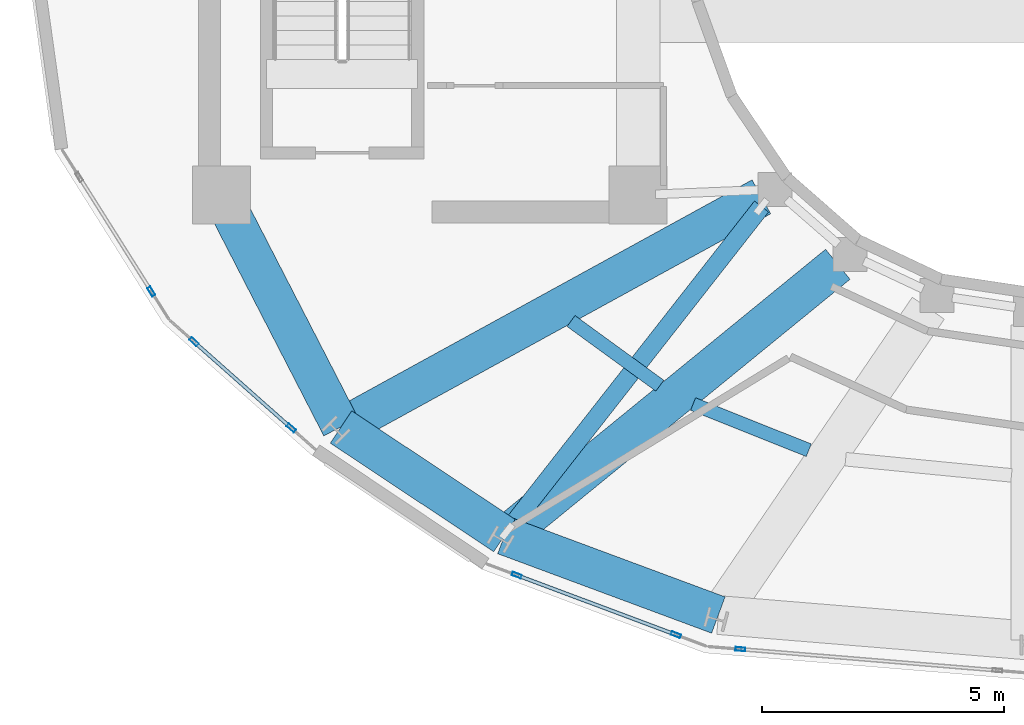
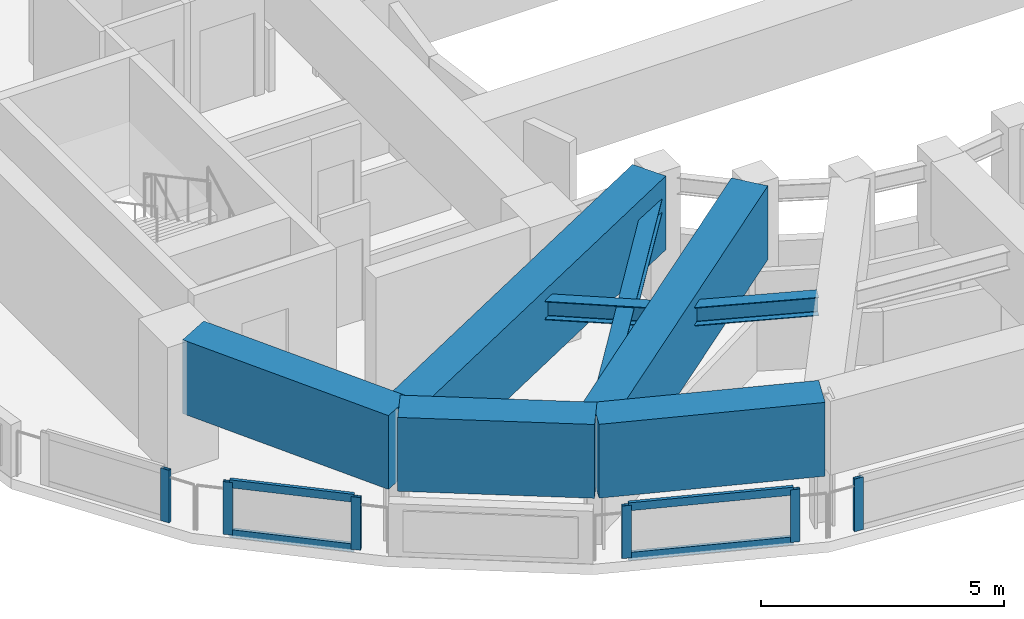
# One storey, part 2 of 18: 11 members, 7 beams, 4 elements without a shape of their own.
"""IFC4 building model written with IfcOpenShell, lengths in metres."""

from ifc_helpers import new_model, si_unit, direction, frame, origin, origin_2d, place, context, subcontext, project, spatial, rectangle, hollow_rectangle, i_section, extrude, material, layer, layer_set, material_profile, profile_set, type_object, element, aggregate, save


model = new_model("IFC4")

# Units and contexts
model_context = context("Model", 3, precision=1e-05, world=origin(), true_north=direction((0.0, 1.0)))
body_context = subcontext(model_context, "Body", "Model", "MODEL_VIEW")
ifc_project = project(units=[si_unit("LENGTHUNIT", "METRE"), si_unit("AREAUNIT", "SQUARE_METRE"), si_unit("VOLUMEUNIT", "CUBIC_METRE"), si_unit("PLANEANGLEUNIT", "RADIAN"), si_unit("MASSUNIT", "GRAM", prefix="KILO")], contexts=[model_context])

# Site, building, storey
site_placement = place(None, origin())
site = spatial("IfcSite", under=ifc_project, at=site_placement, CompositionType="ELEMENT")
building_placement = place(site_placement, origin())
building = spatial("IfcBuilding", under=site, at=building_placement, Name="Solvane Sanctuary Tower", CompositionType="ELEMENT")
storey_placement = place(building_placement, frame((0.0, 0.0, 263.60009765625)))
storey = spatial("IfcBuildingStorey", under=building, at=storey_placement, Name="L80", CompositionType="ELEMENT", Elevation=263.60009765625)

# Beams
ifc_material_1 = material(Name="Steel ASTM A992 Grade 50", Category="steel")
ifc_material_profile_1 = material_profile(ifc_material_1, i_section(OverallWidth=0.280029296875, OverallDepth=0.462890625, WebThickness=0.0107421875, FlangeThickness=0.017333984375, FilletRadius=0.013916015625, at=origin_2d()), Name="W18X76")
ifc_profile_set_1 = profile_set([ifc_material_profile_1], Name="Steel ASTM A992 Grade 50")
beam_type_1 = type_object("IfcBeamType", Name="Beam B-SEC-JOIST W18X76", PredefinedType="JOIST", material=ifc_profile_set_1)
beam_1_placement = place(storey_placement, frame((22.514892578125, 14.30029296875, 2.706298828125), z_axis=(0.808358744666, -0.588690190101, 0.0), x_axis=(0.588690190101, 0.808358744666, 0.0)))
element("IfcBeam", 1, at=beam_1_placement, inside=storey, type_object=beam_type_1, Name="L80 Secondary Circumferential Joist 08-09", PredefinedType="JOIST", context=body_context, shape_type="SweptSolid", body=[
    extrude(i_section(OverallWidth=0.280029296875, OverallDepth=0.462890625, WebThickness=0.0107421875, FlangeThickness=0.017333984375, FilletRadius=0.013916015625, at=origin_2d()), origin(), (0.0, 0.0, 1.0), 2.267333984375),
])
beam_2_placement = place(storey_placement, frame((25.03369140625, 12.586669921875, 2.706298828125), z_axis=(0.928646716037, -0.370965330987, 0.0), x_axis=(0.370965330987, 0.928646716037, 0.0)))
element("IfcBeam", 2, at=beam_2_placement, inside=storey, type_object=beam_type_1, Name="L80 Secondary Circumferential Joist 09-10", PredefinedType="JOIST", context=body_context, shape_type="SweptSolid", body=[
    extrude(i_section(OverallWidth=0.280029296875, OverallDepth=0.462890625, WebThickness=0.0107421875, FlangeThickness=0.017333984375, FilletRadius=0.013916015625, at=origin_2d()), origin(), (0.0, 0.0, 1.0), 2.5732421875),
])
ifc_material_2 = material(Name="Concrete C70/85", Category="concrete")
ifc_material_profile_2 = material_profile(ifc_material_2, rectangle(XDim=0.800048828125, YDim=1.85009765625, at=origin_2d()), Name="RC800X1850")
ifc_profile_set_2 = profile_set([ifc_material_profile_2], Name="Concrete C70/85")
beam_type_2 = type_object("IfcBeamType", Name="Beam B-XFER-BLK RC800X1850", PredefinedType="BEAM", material=ifc_profile_set_2)
beam_3_placement = place(storey_placement, frame((26.444580078125, 16.864013671875, 2.27490234375), z_axis=(-0.876702184602, -0.481033553418, 0.0), x_axis=(0.481033553418, -0.876702184602, 0.0)))
element("IfcBeam", 3, at=beam_3_placement, inside=storey, type_object=beam_type_2, Name="L80 Block-Shift Radial Transfer Girder 08A", PredefinedType="BEAM", context=body_context, shape_type="SweptSolid", body=[
    extrude(rectangle(XDim=0.800048828125, YDim=1.85009765625, at=origin_2d()), origin(), (0.0, 0.0, 1.0), 9.91259765625),
])
beam_4_placement = place(storey_placement, frame((28.022216796875, 15.47119140625, 2.27490234375), z_axis=(-0.774760127624, -0.632255284394, 0.0), x_axis=(0.632255284394, -0.774760127624, 0.0)))
element("IfcBeam", 4, at=beam_4_placement, inside=storey, type_object=beam_type_2, Name="L80 Block-Shift Radial Transfer Girder 09A", PredefinedType="BEAM", context=body_context, shape_type="SweptSolid", body=[
    extrude(rectangle(XDim=0.800048828125, YDim=1.85009765625, at=origin_2d()), origin(), (0.0, 0.0, 1.0), 8.88134765625),
])
beam_5_placement = place(storey_placement, frame((15.46484375, 16.580078125, 2.27490234375), z_axis=(0.457927504097, -0.888989539304, 0.0), x_axis=(0.888989539304, 0.457927504097, 0.0)))
element("IfcBeam", 5, at=beam_5_placement, inside=storey, type_object=beam_type_2, Name="L80 Perimeter Step Transfer Ring CW1-NTC08", PredefinedType="BEAM", context=body_context, shape_type="SweptSolid", body=[
    extrude(rectangle(XDim=0.800048828125, YDim=1.85009765625, at=origin_2d()), origin(), (0.0, 0.0, 1.0), 5.025390625),
])
beam_6_placement = place(storey_placement, frame((17.76611328125, 12.112548828125, 2.27490234375), z_axis=(0.832902394686, -0.553419913742, 0.0), x_axis=(0.553419913742, 0.832902394686, 0.0)))
element("IfcBeam", 6, at=beam_6_placement, inside=storey, type_object=beam_type_2, Name="L80 Perimeter Step Transfer Ring NTC08-NTC09", PredefinedType="BEAM", context=body_context, shape_type="SweptSolid", body=[
    extrude(rectangle(XDim=0.800048828125, YDim=1.85009765625, at=origin_2d()), origin(), (0.0, 0.0, 1.0), 4.050537109375),
])
beam_7_placement = place(storey_placement, frame((21.139892578125, 9.870849609375, 2.27490234375), z_axis=(0.937427688281, -0.348180024188, 0.0), x_axis=(0.348180024188, 0.937427688281, 0.0)))
element("IfcBeam", 7, at=beam_7_placement, inside=storey, type_object=beam_type_2, Name="L80 Perimeter Step Transfer Ring NTC09-NTC10", PredefinedType="BEAM", context=body_context, shape_type="SweptSolid", body=[
    extrude(rectangle(XDim=0.800048828125, YDim=1.85009765625, at=origin_2d()), origin(), (0.0, 0.0, 1.0), 4.711181640625),
])

# Member
ifc_material_profile_3 = material_profile(ifc_material_1, i_section(OverallWidth=0.368896484375, OverallDepth=0.35595703125, WebThickness=0.01123046875, FlangeThickness=0.01806640625, FilletRadius=0.02490234375, at=origin_2d()), Name="W14X90")
ifc_profile_set_3 = profile_set([ifc_material_profile_3], Name="Steel ASTM A992 Grade 50")
member_type_1 = type_object("IfcMemberType", Name="Member M-CROWN-TIE W14X90", PredefinedType="CHORD", material=ifc_profile_set_3)
member_1_placement = place(storey_placement, frame((26.444580078125, 16.66015625, 2.540283203125), z_axis=(-0.61657715967, -0.786962266432, 0.022869136088), x_axis=(0.787168136792, -0.616738457062, 0.0)))
element("IfcMember", 8, at=member_1_placement, inside=storey, type_object=member_type_1, Name="L80 Crown Bracing Tie 08", PredefinedType="CHORD", context=body_context, shape_type="SweptSolid", body=[
    extrude(i_section(OverallWidth=0.368896484375, OverallDepth=0.35595703125, WebThickness=0.01123046875, FlangeThickness=0.01806640625, FilletRadius=0.02490234375, at=origin_2d()), origin(), (0.0, 0.0, 1.0), 8.50830078125),
])

# Curtain wall, member
ifc_material_3 = material(Name="Anodised Aluminium 6063-T6", Category="aluminium")
ifc_layer = layer(ifc_material_3, 0.219970703125, Name="Anodised Aluminium 6063-T6")
ifc_layer_set = layer_set([ifc_layer], Name="Anodised Aluminium 6063-T6")
curtain_wall_type = type_object("IfcCurtainWallType", Name="Curtain Wall CW-CROWN", PredefinedType="NOTDEFINED", material=ifc_layer_set)
curtain_wall_1_placement = place(storey_placement, origin())
curtain_wall_1 = element("IfcCurtainWall", 9, at=curtain_wall_1_placement, inside=storey, type_object=curtain_wall_type, Name="L80 Crown Fritted Lantern Curtain Wall 13", PredefinedType="NOTDEFINED")
ifc_material_profile_4 = material_profile(ifc_material_3, hollow_rectangle(XDim=0.074951171875, YDim=0.199951171875, WallThickness=0.00390625, at=origin_2d()), Name="ALU200X75X4")
ifc_profile_set_4 = profile_set([ifc_material_profile_4], Name="Anodised Aluminium 6063-T6")
member_type_2 = type_object("IfcMemberType", Name="Member M-CW-MUL-1 ALU200X75X4", PredefinedType="MULLION", material=ifc_profile_set_4)
member_2_placement = place(storey_placement, frame((13.85107421875, 14.910400390625, 0.0), z_axis=(0.0, 0.0, 1.0), x_axis=(0.846086642635, 0.533045395022, 0.0)))
member_2 = element("IfcMember", 10, at=member_2_placement, type_object=member_type_2, Name="CW-CROWN mullion 2", PredefinedType="MULLION", context=body_context, shape_type="SweptSolid", body=[
    extrude(hollow_rectangle(XDim=0.074951171875, YDim=0.199951171875, WallThickness=0.00390625, at=origin_2d()), origin(), (0.0, 0.0, 1.0), 1.31982421875),
])
aggregate(curtain_wall_1, [member_2])

# Curtain wall, members
curtain_wall_2_placement = place(storey_placement, origin())
curtain_wall_2 = element("IfcCurtainWall", 11, at=curtain_wall_2_placement, inside=storey, type_object=curtain_wall_type, Name="L80 Crown Fritted Lantern Curtain Wall 14", PredefinedType="NOTDEFINED")
member_3_placement = place(storey_placement, frame((14.731689453125, 13.872314453125, 0.0), z_axis=(0.0, 0.0, 1.0), x_axis=(0.663675121701, 0.748020944116, 0.0)))
member_3 = element("IfcMember", 12, at=member_3_placement, type_object=member_type_2, Name="CW-CROWN mullion 1", PredefinedType="MULLION", context=body_context, shape_type="SweptSolid", body=[
    extrude(hollow_rectangle(XDim=0.074951171875, YDim=0.199951171875, WallThickness=0.00390625, at=origin_2d()), origin(), (0.0, 0.0, 1.0), 1.31982421875),
])
member_4_placement = place(storey_placement, frame((16.7392578125, 12.09130859375, 0.0), z_axis=(0.0, 0.0, 1.0), x_axis=(0.663675121701, 0.748020944116, 0.0)))
member_4 = element("IfcMember", 13, at=member_4_placement, type_object=member_type_2, Name="CW-CROWN mullion 2", PredefinedType="MULLION", context=body_context, shape_type="SweptSolid", body=[
    extrude(hollow_rectangle(XDim=0.074951171875, YDim=0.199951171875, WallThickness=0.00390625, at=origin_2d()), origin(), (0.0, 0.0, 1.0), 1.31982421875),
])

curtain_wall_3_placement = place(storey_placement, origin())
curtain_wall_3 = element("IfcCurtainWall", 14, at=curtain_wall_3_placement, inside=storey, type_object=curtain_wall_type, Name="L80 Crown Fritted Lantern Curtain Wall 16", PredefinedType="NOTDEFINED")
member_5_placement = place(storey_placement, frame((21.392822265625, 9.053955078125, 0.0), z_axis=(0.0, 0.0, 1.0), x_axis=(0.350518151106, 0.936555938396, 0.0)))
member_5 = element("IfcMember", 15, at=member_5_placement, type_object=member_type_2, Name="CW-CROWN mullion 1", PredefinedType="MULLION", context=body_context, shape_type="SweptSolid", body=[
    extrude(hollow_rectangle(XDim=0.074951171875, YDim=0.199951171875, WallThickness=0.00390625, at=origin_2d()), origin(), (0.0, 0.0, 1.0), 1.31982421875),
])
member_6_placement = place(storey_placement, frame((24.680419921875, 7.82373046875, 0.0), z_axis=(0.0, 0.0, 1.0), x_axis=(0.350518151106, 0.936555938396, 0.0)))
member_6 = element("IfcMember", 16, at=member_6_placement, type_object=member_type_2, Name="CW-CROWN mullion 2", PredefinedType="MULLION", context=body_context, shape_type="SweptSolid", body=[
    extrude(hollow_rectangle(XDim=0.074951171875, YDim=0.199951171875, WallThickness=0.00390625, at=origin_2d()), origin(), (0.0, 0.0, 1.0), 1.31982421875),
])

# Curtain wall, member
curtain_wall_4_placement = place(storey_placement, origin())
curtain_wall_4 = element("IfcCurtainWall", 17, at=curtain_wall_4_placement, inside=storey, type_object=curtain_wall_type, Name="L80 Crown Fritted Lantern Curtain Wall 17", PredefinedType="NOTDEFINED")
member_7_placement = place(storey_placement, frame((26.009521484375, 7.526123046875, 0.0), z_axis=(0.0, 0.0, 1.0), x_axis=(0.082375536663, 0.996601360103, 0.0)))
member_7 = element("IfcMember", 18, at=member_7_placement, type_object=member_type_2, Name="CW-CROWN mullion 1", PredefinedType="MULLION", context=body_context, shape_type="SweptSolid", body=[
    extrude(hollow_rectangle(XDim=0.074951171875, YDim=0.199951171875, WallThickness=0.00390625, at=origin_2d()), origin(), (0.0, 0.0, 1.0), 1.31982421875),
])
aggregate(curtain_wall_4, [member_7])

# Member
ifc_material_profile_5 = material_profile(ifc_material_3, hollow_rectangle(XDim=0.074951171875, YDim=0.199951171875, WallThickness=0.00390625, at=origin_2d()), Name="ALU200X75X4")
ifc_profile_set_5 = profile_set([ifc_material_profile_5], Name="Anodised Aluminium 6063-T6")
member_type_3 = type_object("IfcMemberType", Name="Member M-CW-TRN-2 ALU200X75X4", PredefinedType="USERDEFINED", material=ifc_profile_set_5)
member_8_placement = place(storey_placement, frame((14.759765625, 13.847412109375, 0.037353515625), z_axis=(0.748007945387, -0.663689772136, 0.0), x_axis=(0.663689772136, 0.748007945387, 0.0)))
member_8 = element("IfcMember", 19, at=member_8_placement, type_object=member_type_3, Name="CW-CROWN transom 1.1", ObjectType="TRANSOM", PredefinedType="USERDEFINED", context=body_context, shape_type="SweptSolid", body=[
    extrude(hollow_rectangle(XDim=0.074951171875, YDim=0.199951171875, WallThickness=0.00390625, at=origin_2d()), origin(), (0.0, 0.0, 1.0), 2.60888671875),
])

member_9_placement = place(storey_placement, frame((14.759765625, 13.847412109375, 1.282470703125), z_axis=(0.748007945387, -0.663689772136, 0.0), x_axis=(0.663689772136, 0.748007945387, 0.0)))
member_9 = element("IfcMember", 20, at=member_9_placement, type_object=member_type_3, Name="CW-CROWN transom 1.2", ObjectType="TRANSOM", PredefinedType="USERDEFINED", context=body_context, shape_type="SweptSolid", body=[
    extrude(hollow_rectangle(XDim=0.074951171875, YDim=0.199951171875, WallThickness=0.00390625, at=origin_2d()), origin(), (0.0, 0.0, 1.0), 2.60888671875),
])

aggregate(curtain_wall_2, [member_3, member_4, member_8, member_9])

member_10_placement = place(storey_placement, frame((21.427978515625, 9.041015625, 0.037353515625), z_axis=(0.936533460905, -0.350578203266, 0.0), x_axis=(0.350578203266, 0.936533460905, 0.0)))
member_10 = element("IfcMember", 21, at=member_10_placement, type_object=member_type_3, Name="CW-CROWN transom 1.1", ObjectType="TRANSOM", PredefinedType="USERDEFINED", context=body_context, shape_type="SweptSolid", body=[
    extrude(hollow_rectangle(XDim=0.074951171875, YDim=0.199951171875, WallThickness=0.00390625, at=origin_2d()), origin(), (0.0, 0.0, 1.0), 3.435302734375),
])

member_11_placement = place(storey_placement, frame((21.427978515625, 9.041015625, 1.282470703125), z_axis=(0.936533460905, -0.350578203266, 0.0), x_axis=(0.350578203266, 0.936533460905, 0.0)))
member_11 = element("IfcMember", 22, at=member_11_placement, type_object=member_type_3, Name="CW-CROWN transom 1.2", ObjectType="TRANSOM", PredefinedType="USERDEFINED", context=body_context, shape_type="SweptSolid", body=[
    extrude(hollow_rectangle(XDim=0.074951171875, YDim=0.199951171875, WallThickness=0.00390625, at=origin_2d()), origin(), (0.0, 0.0, 1.0), 3.435302734375),
])

aggregate(curtain_wall_3, [member_5, member_6, member_10, member_11])

save(model, "model.ifc")
